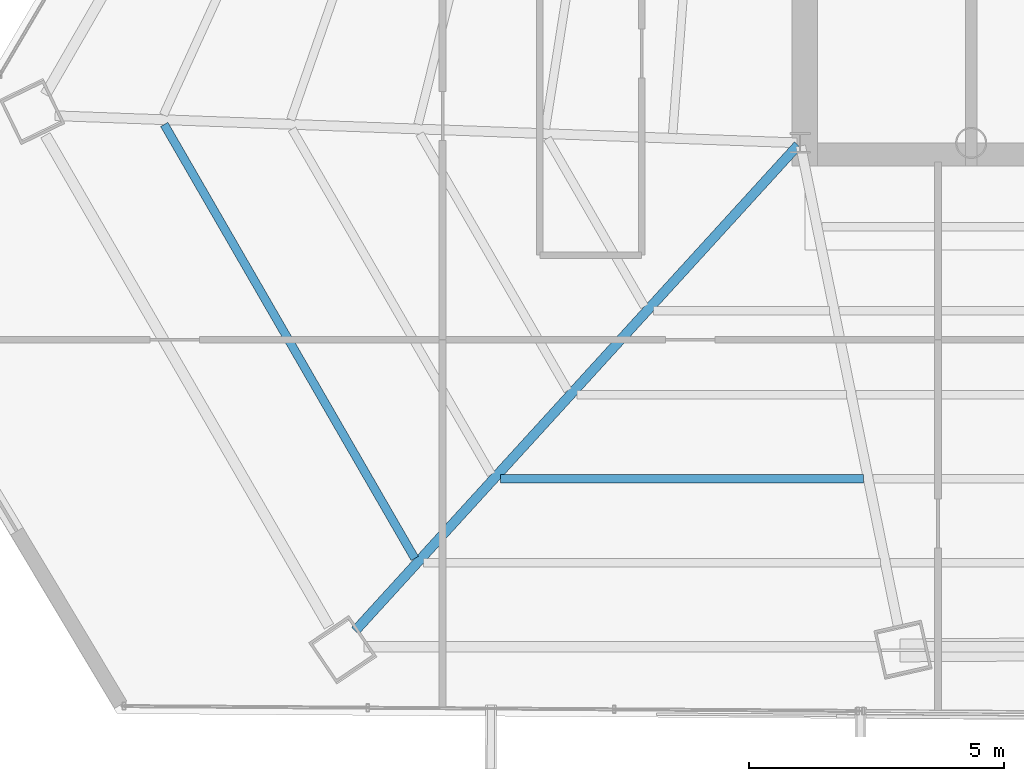
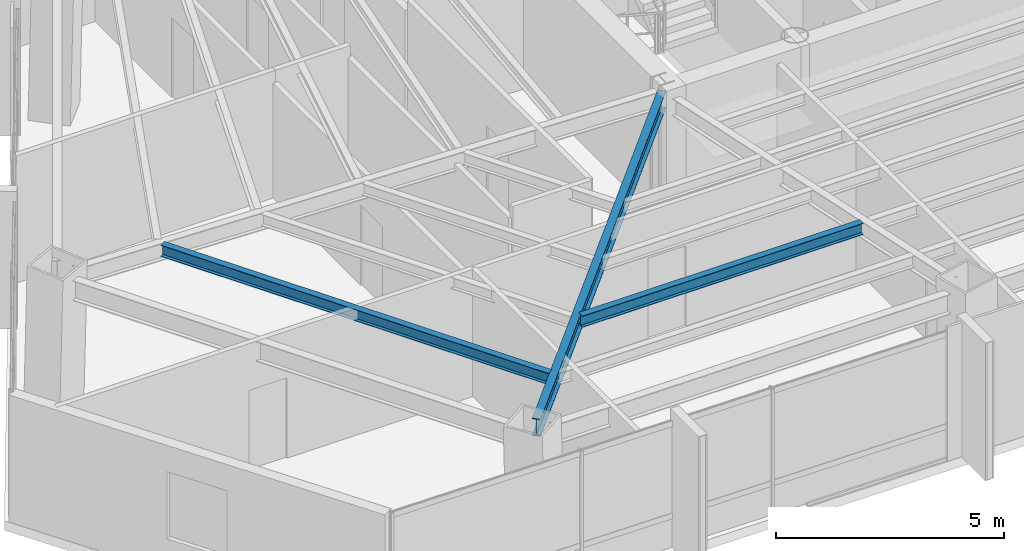
# One storey, part 5 of 41: 3 beams.
"""IFC4 building model written with IfcOpenShell, lengths in metres."""

from ifc_helpers import new_model, si_unit, direction, frame, origin, origin_2d, place, context, subcontext, project, spatial, i_section, extrude, source, transform, mapped, material, material_profile, profile_set, type_object, type_shapes, element, save


model = new_model("IFC4")

# Units and contexts
model_context = context("Model", 3, precision=1e-05, world=origin(), true_north=direction((0.0, 1.0)))
body_context = subcontext(model_context, "Body", "Model", "MODEL_VIEW")
ifc_project = project(units=[si_unit("LENGTHUNIT", "METRE"), si_unit("AREAUNIT", "SQUARE_METRE"), si_unit("VOLUMEUNIT", "CUBIC_METRE"), si_unit("PLANEANGLEUNIT", "RADIAN"), si_unit("MASSUNIT", "GRAM", prefix="KILO")], contexts=[model_context])

# Site, building, storey
site_placement = place(None, origin())
site = spatial("IfcSite", under=ifc_project, at=site_placement, CompositionType="ELEMENT")
building_placement = place(site_placement, origin())
building = spatial("IfcBuilding", under=site, at=building_placement, Name="Caelisora Broadcast Tower", CompositionType="ELEMENT")
storey_placement = place(building_placement, frame((0.0, 0.0, 162.14990234375)))
storey = spatial("IfcBuildingStorey", under=building, at=storey_placement, Name="L42", CompositionType="ELEMENT", Elevation=162.14990234375)

# Beams
ifc_material = material(Name="Steel Grade 350 (AS/NZS 3679.1)", Category="steel")
ifc_material_profile_1 = material_profile(ifc_material, i_section(OverallWidth=0.19091796875, OverallDepth=0.46044921875, WebThickness=0.010009765625, FlangeThickness=0.01611328125, at=origin_2d()), Name="Steel Grade 350 (AS/NZS 3679.1)")
ifc_profile_set_1 = profile_set([ifc_material_profile_1], Name="Steel Grade 350 (AS/NZS 3679.1)")
beam_type_1 = type_object("IfcBeamType", Name="PG06", PredefinedType="BEAM", material=ifc_profile_set_1)
shared_shape_1 = source(origin(), body_context, "Body", "SweptSolid", [
    extrude(i_section(OverallWidth=0.19091796875, OverallDepth=0.46044921875, WebThickness=0.010009765625, FlangeThickness=0.01611328125, at=origin_2d()), origin(), (0.0, 0.0, 1.0), 12.86767578125),
])
type_shapes(beam_type_1, [shared_shape_1])
beam_1_placement = place(storey_placement, frame((30.459716796875, 17.355712890625, 3.169921875), z_axis=(-0.673809009408, -0.73890555475, 0.0), x_axis=(0.73890555475, -0.673809009408, 0.0)))
element("IfcBeam", 1, at=beam_1_placement, inside=storey, type_object=beam_type_1, Name="L42 beam PG06", PredefinedType="BEAM", context=body_context, shape_type="MappedRepresentation", body=[
    mapped(shared_shape_1, transform((0.0, 0.0, 0.0), scale=1.0)),
])
ifc_material_profile_2 = material_profile(ifc_material, i_section(OverallWidth=0.166015625, OverallDepth=0.30712890625, WebThickness=0.006591796875, FlangeThickness=0.01171875, at=origin_2d()), Name="Steel Grade 350 (AS/NZS 3679.1)")
ifc_profile_set_2 = profile_set([ifc_material_profile_2], Name="Steel Grade 350 (AS/NZS 3679.1)")
beam_type_2 = type_object("IfcBeamType", Name="SB03", PredefinedType="JOIST", material=ifc_profile_set_2)
shared_shape_2 = source(origin(), body_context, "Body", "SweptSolid", [
    extrude(i_section(OverallWidth=0.166015625, OverallDepth=0.30712890625, WebThickness=0.006591796875, FlangeThickness=0.01171875, at=origin_2d()), origin(), (0.0, 0.0, 1.0), 9.810302734375),
])
beam_2_placement = place(storey_placement, frame((18.051513671875, 17.76123046875, 3.24658203125), z_axis=(0.50001470738, -0.866016912308, 0.0), x_axis=(0.866016912308, 0.50001470738, 0.0)))
element("IfcBeam", 2, at=beam_2_placement, inside=storey, type_object=beam_type_2, Name="L42 beam SB03", PredefinedType="JOIST", context=body_context, shape_type="MappedRepresentation", body=[
    mapped(shared_shape_2, transform((0.0, 0.0, 0.0), scale=1.0)),
])
shared_shape_3 = source(origin(), body_context, "Body", "SweptSolid", [
    extrude(i_section(OverallWidth=0.166015625, OverallDepth=0.30712890625, WebThickness=0.006591796875, FlangeThickness=0.01171875, at=origin_2d()), origin(), (0.0, 0.0, 1.0), 7.109619140625),
])
type_shapes(beam_type_2, [shared_shape_2, shared_shape_3])
beam_3_placement = place(storey_placement, frame((24.630615234375, 10.824951171875, 3.24658203125), z_axis=(1.0, 0.0, 0.0), x_axis=(0.0, 1.0, 0.0)))
element("IfcBeam", 3, at=beam_3_placement, inside=storey, type_object=beam_type_2, Name="L42 beam SB03", PredefinedType="JOIST", context=body_context, shape_type="MappedRepresentation", body=[
    mapped(shared_shape_3, transform((0.0, 0.0, 0.0), scale=1.0)),
])

save(model, "model.ifc")
